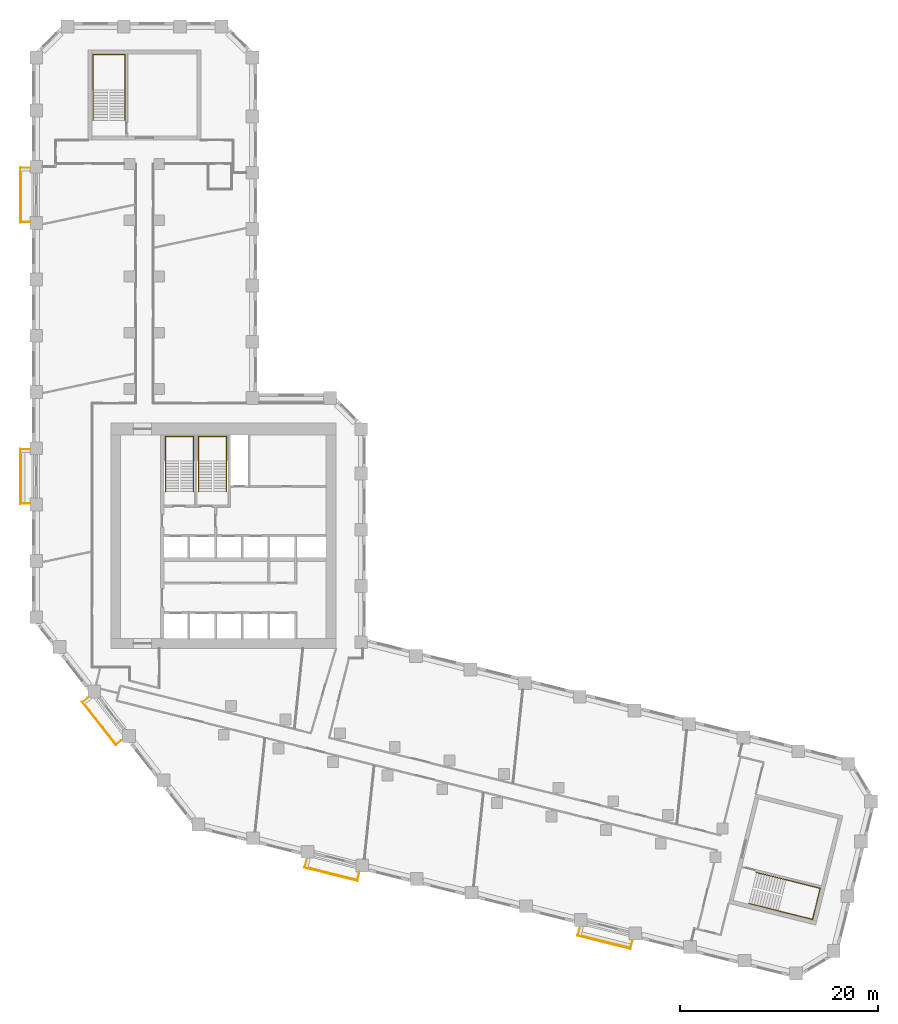
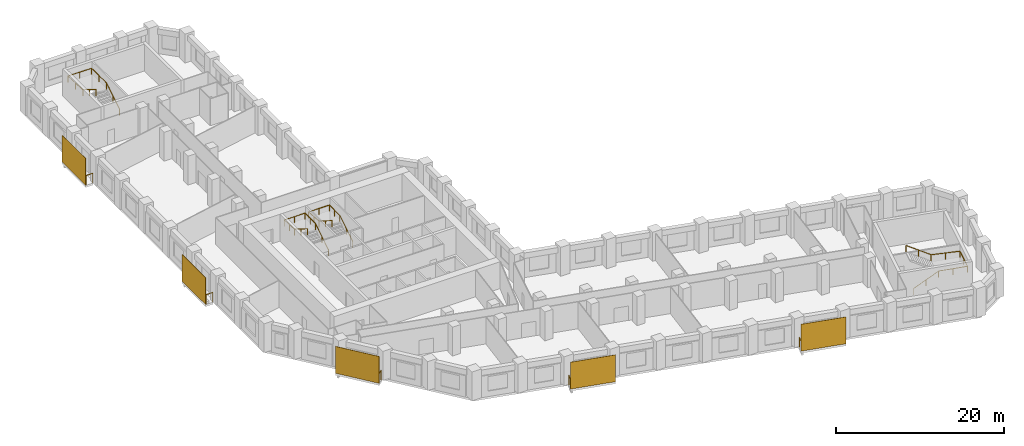
# One storey, part 11 of 11: 9 railings, 5 shading devices.
"""IFC4 building model written with IfcOpenShell, lengths in metres."""

from ifc_helpers import new_model, si_unit, direction, frame, origin, origin_2d, place, context, subcontext, project, spatial, rectangle, circle, extrude, material, layer, layer_set, type_object, element, save


model = new_model("IFC4")

# Units and contexts
model_context = context("Model", 3, precision=1e-05, world=origin(), true_north=direction((0.0, 1.0)))
body_context = subcontext(model_context, "Body", "Model", "MODEL_VIEW")
ifc_project = project(units=[si_unit("LENGTHUNIT", "METRE"), si_unit("AREAUNIT", "SQUARE_METRE"), si_unit("VOLUMEUNIT", "CUBIC_METRE"), si_unit("PLANEANGLEUNIT", "RADIAN"), si_unit("MASSUNIT", "GRAM", prefix="KILO")], contexts=[model_context])

# Site, building, storey
site_placement = place(None, origin())
site = spatial("IfcSite", under=ifc_project, at=site_placement, CompositionType="ELEMENT")
building_placement = place(site_placement, origin())
building = spatial("IfcBuilding", under=site, at=building_placement, Name="Meshkara Civic Tower", CompositionType="ELEMENT")
storey_placement = place(building_placement, frame((0.0, 0.0, 143.39990234375)))
storey = spatial("IfcBuildingStorey", under=building, at=storey_placement, Name="L32", CompositionType="ELEMENT", Elevation=143.39990234375)

# Railings
ifc_material_1 = material(Name="Steel S355", Category="steel")
railing_type_1 = type_object("IfcRailingType", Name="BALUSTRADE GUARD 1400", PredefinedType="BALUSTRADE", material=ifc_material_1)
for number, where, name in (
    (1, (-0.199951171875, 62.735107421875, 0.0), "Balcony guard"),
    (2, (-0.199951171875, 34.235107421875, 0.0), "Balcony guard"),
):
    element("IfcRailing", number, at=place(storey_placement, frame(where)), inside=storey, type_object=railing_type_1, Name=name, PredefinedType="BALUSTRADE", context=body_context, shape_type="SweptSolid", body=[
        extrude(circle(Radius=0.02392578125, at=origin_2d()), frame((0.0, 0.0, 1.3759765625), z_axis=(-1.0, 0.0, 0.0), x_axis=(0.0, -1.0, 0.0)), (0.0, 0.0, 1.0), 0.91015625),
        extrude(circle(Radius=0.02392578125, at=origin_2d()), frame((-0.91015625, 0.0, 1.3759765625), z_axis=(0.0, -1.0, 0.0), x_axis=(1.0, 0.0, 0.0)), (0.0, 0.0, 1.0), 5.460205078125),
        extrude(circle(Radius=0.02392578125, at=origin_2d()), frame((-0.91015625, -5.460205078125, 1.3759765625), z_axis=(1.0, 0.0, 0.0), x_axis=(0.0, 1.0, 0.0)), (0.0, 0.0, 1.0), 0.91015625),
        extrude(circle(Radius=0.02099609375, at=origin_2d()), origin(), (0.0, 0.0, 1.0), 1.351806640625),
        extrude(circle(Radius=0.02099609375, at=origin_2d()), frame((-0.91015625, 0.0, 0.0)), (0.0, 0.0, 1.0), 1.351806640625),
        extrude(circle(Radius=0.02099609375, at=origin_2d()), frame((-0.91015625, -1.092041015625, 0.0)), (0.0, 0.0, 1.0), 1.351806640625),
        extrude(circle(Radius=0.02099609375, at=origin_2d()), frame((-0.91015625, -2.18408203125, 0.0)), (0.0, 0.0, 1.0), 1.351806640625),
        extrude(circle(Radius=0.02099609375, at=origin_2d()), frame((-0.91015625, -3.276123046875, 0.0)), (0.0, 0.0, 1.0), 1.351806640625),
        extrude(circle(Radius=0.02099609375, at=origin_2d()), frame((-0.91015625, -4.3681640625, 0.0)), (0.0, 0.0, 1.0), 1.351806640625),
        extrude(circle(Radius=0.02099609375, at=origin_2d()), frame((-0.91015625, -5.460205078125, 0.0)), (0.0, 0.0, 1.0), 1.351806640625),
        extrude(circle(Radius=0.02099609375, at=origin_2d()), frame((0.0, -5.460205078125, 0.0)), (0.0, 0.0, 1.0), 1.351806640625),
    ])
railing_1_placement = place(storey_placement, frame((5.677978515625, 9.0810546875, 0.0)))
element("IfcRailing", 3, at=railing_1_placement, inside=storey, type_object=railing_type_1, Name="Balcony guard", PredefinedType="BALUSTRADE", context=body_context, shape_type="SweptSolid", body=[
    extrude(circle(Radius=0.02392578125, at=origin_2d()), frame((0.0, 0.0, 1.3759765625), z_axis=(-0.787481136241, -0.61633875431, 0.0), x_axis=(0.61633875431, -0.787481136241, 0.0)), (0.0, 0.0, 1.0), 0.647705078125),
    extrude(circle(Radius=0.02392578125, at=origin_2d()), frame((-0.510009765625, -0.399169921875, 1.3759765625), z_axis=(0.615684818606, -0.787992515281, 0.0), x_axis=(0.787992515281, 0.615684818606, 0.0)), (0.0, 0.0, 1.0), 5.460693359375),
    extrude(circle(Radius=0.02392578125, at=origin_2d()), frame((2.85205078125, -4.7021484375, 1.3759765625), z_axis=(0.787481136241, 0.61633875431, 0.0), x_axis=(-0.61633875431, 0.787481136241, 0.0)), (0.0, 0.0, 1.0), 0.647705078125),
    extrude(circle(Radius=0.02099609375, at=origin_2d()), origin(), (0.0, 0.0, 1.0), 1.351806640625),
    extrude(circle(Radius=0.02099609375, at=origin_2d()), frame((-0.510009765625, -0.399169921875, 0.0)), (0.0, 0.0, 1.0), 1.351806640625),
    extrude(circle(Radius=0.02099609375, at=origin_2d()), frame((0.162353515625, -1.259765625, 0.0)), (0.0, 0.0, 1.0), 1.351806640625),
    extrude(circle(Radius=0.02099609375, at=origin_2d()), frame((0.834716796875, -2.120361328125, 0.0)), (0.0, 0.0, 1.0), 1.351806640625),
    extrude(circle(Radius=0.02099609375, at=origin_2d()), frame((1.50732421875, -2.98095703125, 0.0)), (0.0, 0.0, 1.0), 1.351806640625),
    extrude(circle(Radius=0.02099609375, at=origin_2d()), frame((2.1796875, -3.841552734375, 0.0)), (0.0, 0.0, 1.0), 1.351806640625),
    extrude(circle(Radius=0.02099609375, at=origin_2d()), frame((2.85205078125, -4.7021484375, 0.0)), (0.0, 0.0, 1.0), 1.351806640625),
    extrude(circle(Radius=0.02099609375, at=origin_2d()), frame((3.362060546875, -4.302978515625, 0.0)), (0.0, 0.0, 1.0), 1.351806640625),
])
railing_2_placement = place(storey_placement, frame((27.837890625, -7.2890625, 0.0)))
element("IfcRailing", 4, at=railing_2_placement, inside=storey, type_object=railing_type_1, Name="Balcony guard", PredefinedType="BALUSTRADE", context=body_context, shape_type="SweptSolid", body=[
    extrude(circle(Radius=0.02392578125, at=origin_2d()), frame((0.0, 0.0, 1.3759765625), z_axis=(-0.242237978263, -0.970216863329, 0.0), x_axis=(0.970216863329, -0.242237978263, 0.0)), (0.0, 0.0, 1.0), 0.77197265625),
    extrude(circle(Radius=0.02392578125, at=origin_2d()), frame((-0.18701171875, -0.7490234375, 1.3759765625), z_axis=(0.970302726319, -0.241893818229, 0.0), x_axis=(0.241893818229, 0.970302726319, 0.0)), (0.0, 0.0, 1.0), 5.460205078125),
    extrude(circle(Radius=0.02392578125, at=origin_2d()), frame((5.111083984375, -2.06982421875, 1.3759765625), z_axis=(0.242312323582, 0.970198298205, 0.0), x_axis=(-0.970198298205, 0.242312323582, 0.0)), (0.0, 0.0, 1.0), 0.771728515625),
    extrude(circle(Radius=0.02099609375, at=origin_2d()), origin(), (0.0, 0.0, 1.0), 1.351806640625),
    extrude(circle(Radius=0.02099609375, at=origin_2d()), frame((-0.18701171875, -0.7490234375, 0.0)), (0.0, 0.0, 1.0), 1.351806640625),
    extrude(circle(Radius=0.02099609375, at=origin_2d()), frame((0.87255859375, -1.01318359375, 0.0)), (0.0, 0.0, 1.0), 1.351806640625),
    extrude(circle(Radius=0.02099609375, at=origin_2d()), frame((1.93212890625, -1.27734375, 0.0)), (0.0, 0.0, 1.0), 1.351806640625),
    extrude(circle(Radius=0.02099609375, at=origin_2d()), frame((2.991943359375, -1.54150390625, 0.0)), (0.0, 0.0, 1.0), 1.351806640625),
    extrude(circle(Radius=0.02099609375, at=origin_2d()), frame((4.051513671875, -1.8056640625, 0.0)), (0.0, 0.0, 1.0), 1.351806640625),
    extrude(circle(Radius=0.02099609375, at=origin_2d()), frame((5.111083984375, -2.06982421875, 0.0)), (0.0, 0.0, 1.0), 1.351806640625),
    extrude(circle(Radius=0.02099609375, at=origin_2d()), frame((5.298095703125, -1.321044921875, 0.0)), (0.0, 0.0, 1.0), 1.351806640625),
])
railing_3_placement = place(storey_placement, frame((55.491943359375, -14.18408203125, 0.0)))
element("IfcRailing", 5, at=railing_3_placement, inside=storey, type_object=railing_type_1, Name="Balcony guard", PredefinedType="BALUSTRADE", context=body_context, shape_type="SweptSolid", body=[
    extrude(circle(Radius=0.02392578125, at=origin_2d()), frame((0.0, 0.0, 1.3759765625), z_axis=(-0.242237978263, -0.970216863329, 0.0), x_axis=(0.970216863329, -0.242237978263, 0.0)), (0.0, 0.0, 1.0), 0.77197265625),
    extrude(circle(Radius=0.02392578125, at=origin_2d()), frame((-0.18701171875, -0.7490234375, 1.3759765625), z_axis=(0.970302726319, -0.241893818229, 0.0), x_axis=(0.241893818229, 0.970302726319, 0.0)), (0.0, 0.0, 1.0), 5.460205078125),
    extrude(circle(Radius=0.02392578125, at=origin_2d()), frame((5.111083984375, -2.06982421875, 1.3759765625), z_axis=(0.242237978263, 0.970216863329, 0.0), x_axis=(-0.970216863329, 0.242237978263, 0.0)), (0.0, 0.0, 1.0), 0.77197265625),
    extrude(circle(Radius=0.02099609375, at=origin_2d()), origin(), (0.0, 0.0, 1.0), 1.351806640625),
    extrude(circle(Radius=0.02099609375, at=origin_2d()), frame((-0.18701171875, -0.7490234375, 0.0)), (0.0, 0.0, 1.0), 1.351806640625),
    extrude(circle(Radius=0.02099609375, at=origin_2d()), frame((0.87255859375, -1.01318359375, 0.0)), (0.0, 0.0, 1.0), 1.351806640625),
    extrude(circle(Radius=0.02099609375, at=origin_2d()), frame((1.93212890625, -1.27734375, 0.0)), (0.0, 0.0, 1.0), 1.351806640625),
    extrude(circle(Radius=0.02099609375, at=origin_2d()), frame((2.991943359375, -1.54150390625, 0.0)), (0.0, 0.0, 1.0), 1.351806640625),
    extrude(circle(Radius=0.02099609375, at=origin_2d()), frame((4.051513671875, -1.8056640625, 0.0)), (0.0, 0.0, 1.0), 1.351806640625),
    extrude(circle(Radius=0.02099609375, at=origin_2d()), frame((5.111083984375, -2.06982421875, 0.0)), (0.0, 0.0, 1.0), 1.351806640625),
    extrude(circle(Radius=0.02099609375, at=origin_2d()), frame((5.298095703125, -1.32080078125, 0.0)), (0.0, 0.0, 1.0), 1.351806640625),
])

# Shading devices
ifc_material_2 = material(Name="Perforated bronze anodised aluminium sheet", Category="aluminium")
ifc_layer = layer(ifc_material_2, 0.0400390625)
ifc_layer_set = layer_set([ifc_layer], Name="PERFORATED BRONZE SCREEN")
shading_device_type = type_object("IfcShadingDeviceType", Name="PERFORATED BRONZE SCREEN", PredefinedType="USERDEFINED", material=ifc_layer_set)
for number, where, z_axis, x_axis, name in (
    (6, (-1.179931640625, 60.0048828125, 0.000244140625), (0.0, 0.0, 1.0), (0.0, -1.0, 0.0), "Balcony screen"),
    (7, (-1.179931640625, 31.5048828125, 0.000244140625), (0.0, 0.0, 1.0), (0.0, -1.0, 0.0), "Balcony screen"),
):
    element("IfcShadingDevice", number, at=place(storey_placement, frame(where, z_axis=z_axis, x_axis=x_axis)), inside=storey, type_object=shading_device_type, Name=name, ObjectType="SCREEN", PredefinedType="USERDEFINED", context=body_context, shape_type="SweptSolid", body=[
        extrude(rectangle(XDim=5.580078125, YDim=0.0400390625, at=origin_2d()), origin(), (0.0, 0.0, 1.0), 3.89990234375),
    ])
shading_device_placement = place(storey_placement, frame((6.7939453125, 6.488037109375, 0.000244140625), z_axis=(0.0, 0.0, 1.0), x_axis=(0.615661475326, -0.788010753607, 0.0)))
element("IfcShadingDevice", 8, at=shading_device_placement, inside=storey, type_object=shading_device_type, Name="Balcony screen", ObjectType="SCREEN", PredefinedType="USERDEFINED", context=body_context, shape_type="SweptSolid", body=[
    extrude(rectangle(XDim=5.5810546875, YDim=0.0400390625, at=origin_2d()), origin(), (0.0, 0.0, 1.0), 3.89990234375),
])
for number, where, z_axis, x_axis, name in (
    (9, (30.282958984375, -8.76708984375, 0.000244140625), (0.0, 0.0, 1.0), (0.970299948462, -0.241904960708, 0.0), "Balcony screen"),
    (10, (57.93701171875, -15.660888671875, 0.000244140625), (0.0, 0.0, 1.0), (0.970299948462, -0.241904960708, 0.0), "Balcony screen"),
):
    element("IfcShadingDevice", number, at=place(storey_placement, frame(where, z_axis=z_axis, x_axis=x_axis)), inside=storey, type_object=shading_device_type, Name=name, ObjectType="SCREEN", PredefinedType="USERDEFINED", context=body_context, shape_type="SweptSolid", body=[
        extrude(rectangle(XDim=5.580078125, YDim=0.0400390625, at=origin_2d()), origin(), (0.0, 0.0, 1.0), 3.89990234375),
    ])

# Railings
ifc_material_3 = material(Name="Steel handrail", Category="steel")
railing_type_2 = type_object("IfcRailingType", Name="Stair handrail 900", PredefinedType="HANDRAIL", material=ifc_material_3)
railing_4_placement = place(storey_placement, frame((16.375, 30.0, 0.175048828125)))
element("IfcRailing", 11, at=railing_4_placement, inside=storey, type_object=railing_type_2, Name="L32 ST1 stair handrail 1", PredefinedType="HANDRAIL", context=body_context, shape_type="SweptSolid", body=[
    extrude(circle(Radius=0.02392578125, at=origin_2d()), frame((0.0, 0.0, 0.8759765625), z_axis=(0.0, 0.847998304005, 0.529998940003), x_axis=(-1.0, 0.0, 0.0)), (0.0, 0.0, 1.0), 3.632080078125),
    extrude(circle(Radius=0.02392578125, at=origin_2d()), frame((0.0, 3.080078125, 2.80078125), z_axis=(0.0, 1.0, 0.0), x_axis=(-1.0, 0.0, 0.0)), (0.0, 0.0, 1.0), 2.469970703125),
    extrude(circle(Radius=0.02392578125, at=origin_2d()), frame((0.0, 5.550048828125, 2.80078125), z_axis=(-1.0, 0.0, 0.0), x_axis=(0.0, -1.0, 0.0)), (0.0, 0.0, 1.0), 2.85009765625),
    extrude(circle(Radius=0.02392578125, at=origin_2d()), frame((-2.85009765625, 5.550048828125, 2.80078125), z_axis=(0.0, -0.997498084828, 0.070693498747), x_axis=(1.0, 0.0, 0.0)), (0.0, 0.0, 1.0), 2.47607421875),
    extrude(circle(Radius=0.02392578125, at=origin_2d()), frame((-2.85009765625, 3.080078125, 2.97607421875), z_axis=(0.0, -0.847998304005, 0.529998940003), x_axis=(1.0, 0.0, 0.0)), (0.0, 0.0, 1.0), 3.632080078125),
    extrude(circle(Radius=0.02099609375, at=origin_2d()), origin(), (0.0, 0.0, 1.0), 0.851806640625),
    extrude(circle(Radius=0.02099609375, at=origin_2d()), frame((0.0, 1.5400390625, 0.96240234375)), (0.0, 0.0, 1.0), 0.851806640625),
    extrude(circle(Radius=0.02099609375, at=origin_2d()), frame((0.0, 3.080078125, 1.925048828125)), (0.0, 0.0, 1.0), 0.851806640625),
    extrude(circle(Radius=0.02099609375, at=origin_2d()), frame((0.0, 4.31494140625, 1.925048828125)), (0.0, 0.0, 1.0), 0.851806640625),
    extrude(circle(Radius=0.02099609375, at=origin_2d()), frame((0.0, 5.550048828125, 1.925048828125)), (0.0, 0.0, 1.0), 0.851806640625),
    extrude(circle(Radius=0.02099609375, at=origin_2d()), frame((-1.425048828125, 5.550048828125, 1.925048828125)), (0.0, 0.0, 1.0), 0.851806640625),
    extrude(circle(Radius=0.02099609375, at=origin_2d()), frame((-2.85009765625, 5.550048828125, 1.925048828125)), (0.0, 0.0, 1.0), 0.851806640625),
    extrude(circle(Radius=0.02099609375, at=origin_2d()), frame((-2.85009765625, 4.31494140625, 2.0126953125)), (0.0, 0.0, 1.0), 0.851806640625),
    extrude(circle(Radius=0.02099609375, at=origin_2d()), frame((-2.85009765625, 3.080078125, 2.10009765625)), (0.0, 0.0, 1.0), 0.851806640625),
    extrude(circle(Radius=0.02099609375, at=origin_2d()), frame((-2.85009765625, 1.5400390625, 3.0625)), (0.0, 0.0, 1.0), 0.851806640625),
    extrude(circle(Radius=0.02099609375, at=origin_2d()), frame((-2.85009765625, 0.0, 4.025146484375)), (0.0, 0.0, 1.0), 0.851806640625),
])
railing_5_placement = place(storey_placement, frame((19.72509765625, 30.0, 0.175048828125)))
element("IfcRailing", 12, at=railing_5_placement, inside=storey, type_object=railing_type_2, Name="L32 ST2 stair handrail 1", PredefinedType="HANDRAIL", context=body_context, shape_type="SweptSolid", body=[
    extrude(circle(Radius=0.02392578125, at=origin_2d()), frame((0.0, 0.0, 0.8759765625), z_axis=(0.0, 0.847998304005, 0.529998940003), x_axis=(-1.0, 0.0, 0.0)), (0.0, 0.0, 1.0), 3.632080078125),
    extrude(circle(Radius=0.02392578125, at=origin_2d()), frame((0.0, 3.080078125, 2.80078125), z_axis=(0.0, 1.0, 0.0), x_axis=(-1.0, 0.0, 0.0)), (0.0, 0.0, 1.0), 2.469970703125),
    extrude(circle(Radius=0.02392578125, at=origin_2d()), frame((0.0, 5.550048828125, 2.80078125), z_axis=(-1.0, 0.0, 0.0), x_axis=(0.0, -1.0, 0.0)), (0.0, 0.0, 1.0), 2.85009765625),
    extrude(circle(Radius=0.02392578125, at=origin_2d()), frame((-2.85009765625, 5.550048828125, 2.80078125), z_axis=(0.0, -0.997498084828, 0.070693498747), x_axis=(1.0, 0.0, 0.0)), (0.0, 0.0, 1.0), 2.47607421875),
    extrude(circle(Radius=0.02392578125, at=origin_2d()), frame((-2.85009765625, 3.080078125, 2.97607421875), z_axis=(0.0, -0.847998304005, 0.529998940003), x_axis=(1.0, 0.0, 0.0)), (0.0, 0.0, 1.0), 3.632080078125),
    extrude(circle(Radius=0.02099609375, at=origin_2d()), origin(), (0.0, 0.0, 1.0), 0.851806640625),
    extrude(circle(Radius=0.02099609375, at=origin_2d()), frame((0.0, 1.5400390625, 0.96240234375)), (0.0, 0.0, 1.0), 0.851806640625),
    extrude(circle(Radius=0.02099609375, at=origin_2d()), frame((0.0, 3.080078125, 1.925048828125)), (0.0, 0.0, 1.0), 0.851806640625),
    extrude(circle(Radius=0.02099609375, at=origin_2d()), frame((0.0, 4.31494140625, 1.925048828125)), (0.0, 0.0, 1.0), 0.851806640625),
    extrude(circle(Radius=0.02099609375, at=origin_2d()), frame((0.0, 5.550048828125, 1.925048828125)), (0.0, 0.0, 1.0), 0.851806640625),
    extrude(circle(Radius=0.02099609375, at=origin_2d()), frame((-1.425048828125, 5.550048828125, 1.925048828125)), (0.0, 0.0, 1.0), 0.851806640625),
    extrude(circle(Radius=0.02099609375, at=origin_2d()), frame((-2.85009765625, 5.550048828125, 1.925048828125)), (0.0, 0.0, 1.0), 0.851806640625),
    extrude(circle(Radius=0.02099609375, at=origin_2d()), frame((-2.85009765625, 4.31494140625, 2.0126953125)), (0.0, 0.0, 1.0), 0.851806640625),
    extrude(circle(Radius=0.02099609375, at=origin_2d()), frame((-2.85009765625, 3.080078125, 2.10009765625)), (0.0, 0.0, 1.0), 0.851806640625),
    extrude(circle(Radius=0.02099609375, at=origin_2d()), frame((-2.85009765625, 1.5400390625, 3.0625)), (0.0, 0.0, 1.0), 0.851806640625),
    extrude(circle(Radius=0.02099609375, at=origin_2d()), frame((-2.85009765625, 0.0, 4.025146484375)), (0.0, 0.0, 1.0), 0.851806640625),
])
railing_6_placement = place(storey_placement, frame((9.425048828125, 67.570068359375, 0.175048828125)))
element("IfcRailing", 13, at=railing_6_placement, inside=storey, type_object=railing_type_2, Name="L32 ESA2 stair handrail 1", PredefinedType="HANDRAIL", context=body_context, shape_type="SweptSolid", body=[
    extrude(circle(Radius=0.02392578125, at=origin_2d()), frame((0.0, 0.0, 0.8759765625), z_axis=(0.0, 0.847979421464, 0.530029150871), x_axis=(-1.0, 0.0, 0.0)), (0.0, 0.0, 1.0), 3.632080078125),
    extrude(circle(Radius=0.02392578125, at=origin_2d()), frame((0.0, 3.079833984375, 2.80078125), z_axis=(0.0, 1.0, 0.0), x_axis=(-1.0, 0.0, 0.0)), (0.0, 0.0, 1.0), 3.570068359375),
    extrude(circle(Radius=0.02392578125, at=origin_2d()), frame((0.0, 6.64990234375, 2.80078125), z_axis=(-1.0, 0.0, 0.0), x_axis=(0.0, -1.0, 0.0)), (0.0, 0.0, 1.0), 3.25),
    extrude(circle(Radius=0.02392578125, at=origin_2d()), frame((-3.25, 6.64990234375, 2.80078125), z_axis=(0.0, -0.998800077689, 0.048973511297), x_axis=(1.0, 0.0, 0.0)), (0.0, 0.0, 1.0), 3.574462890625),
    extrude(circle(Radius=0.02392578125, at=origin_2d()), frame((-3.25, 3.079833984375, 2.97607421875), z_axis=(0.0, -0.847979421464, 0.530029150871), x_axis=(1.0, 0.0, 0.0)), (0.0, 0.0, 1.0), 3.632080078125),
    extrude(circle(Radius=0.02099609375, at=origin_2d()), origin(), (0.0, 0.0, 1.0), 0.851806640625),
    extrude(circle(Radius=0.02099609375, at=origin_2d()), frame((0.0, 1.5400390625, 0.96240234375)), (0.0, 0.0, 1.0), 0.851806640625),
    extrude(circle(Radius=0.02099609375, at=origin_2d()), frame((0.0, 3.079833984375, 1.925048828125)), (0.0, 0.0, 1.0), 0.851806640625),
    extrude(circle(Radius=0.02099609375, at=origin_2d()), frame((0.0, 4.86474609375, 1.925048828125)), (0.0, 0.0, 1.0), 0.851806640625),
    extrude(circle(Radius=0.02099609375, at=origin_2d()), frame((0.0, 6.64990234375, 1.925048828125)), (0.0, 0.0, 1.0), 0.851806640625),
    extrude(circle(Radius=0.02099609375, at=origin_2d()), frame((-1.625, 6.64990234375, 1.925048828125)), (0.0, 0.0, 1.0), 0.851806640625),
    extrude(circle(Radius=0.02099609375, at=origin_2d()), frame((-3.25, 6.64990234375, 1.925048828125)), (0.0, 0.0, 1.0), 0.851806640625),
    extrude(circle(Radius=0.02099609375, at=origin_2d()), frame((-3.25, 4.86474609375, 2.0126953125)), (0.0, 0.0, 1.0), 0.851806640625),
    extrude(circle(Radius=0.02099609375, at=origin_2d()), frame((-3.25, 3.079833984375, 2.10009765625)), (0.0, 0.0, 1.0), 0.851806640625),
    extrude(circle(Radius=0.02099609375, at=origin_2d()), frame((-3.25, 1.5400390625, 3.0625)), (0.0, 0.0, 1.0), 0.851806640625),
    extrude(circle(Radius=0.02099609375, at=origin_2d()), frame((-3.25, 0.0, 4.025146484375)), (0.0, 0.0, 1.0), 0.851806640625),
])
railing_7_placement = place(storey_placement, frame((72.587158203125, -11.73388671875, 0.175048828125)))
element("IfcRailing", 14, at=railing_7_placement, inside=storey, type_object=railing_type_2, Name="L32 ESB2 stair handrail 1", PredefinedType="HANDRAIL", context=body_context, shape_type="SweptSolid", body=[
    extrude(circle(Radius=0.02392578125, at=origin_2d()), frame((0.0, 0.0, 0.8759765625), z_axis=(0.82276025377, -0.205286749593, 0.530021617727), x_axis=(0.242087961707, 0.97025430625, 0.0)), (0.0, 0.0, 1.0), 3.632080078125),
    extrude(circle(Radius=0.02392578125, at=origin_2d()), frame((2.98828125, -0.74560546875, 2.80078125), z_axis=(0.97025503065, -0.242085058395, 0.0), x_axis=(0.242085058395, 0.97025503065, 0.0)), (0.0, 0.0, 1.0), 3.570068359375),
    extrude(circle(Radius=0.02392578125, at=origin_2d()), frame((6.4521484375, -1.60986328125, 2.80078125), z_axis=(0.242040676986, 0.970266103027, 0.0), x_axis=(-0.970266103027, 0.242040676986, 0.0)), (0.0, 0.0, 1.0), 3.25),
    extrude(circle(Radius=0.02392578125, at=origin_2d()), frame((7.23876953125, 1.54345703125, 2.80078125), z_axis=(-0.969090793551, 0.241794573525, 0.048973646672), x_axis=(-0.242085058395, -0.97025503065, 0.0)), (0.0, 0.0, 1.0), 3.574462890625),
    extrude(circle(Radius=0.02392578125, at=origin_2d()), frame((3.77490234375, 2.40771484375, 2.97607421875), z_axis=(-0.82276025377, 0.205286749593, 0.530021617727), x_axis=(-0.242087961707, -0.97025430625, 0.0)), (0.0, 0.0, 1.0), 3.632080078125),
    extrude(circle(Radius=0.02099609375, at=origin_2d()), origin(), (0.0, 0.0, 1.0), 0.851806640625),
    extrude(circle(Radius=0.02099609375, at=origin_2d()), frame((1.494140625, -0.372802734375, 0.96240234375)), (0.0, 0.0, 1.0), 0.851806640625),
    extrude(circle(Radius=0.02099609375, at=origin_2d()), frame((2.98828125, -0.74560546875, 1.925048828125)), (0.0, 0.0, 1.0), 0.851806640625),
    extrude(circle(Radius=0.02099609375, at=origin_2d()), frame((4.72021484375, -1.177734375, 1.925048828125)), (0.0, 0.0, 1.0), 0.851806640625),
    extrude(circle(Radius=0.02099609375, at=origin_2d()), frame((6.4521484375, -1.60986328125, 1.925048828125)), (0.0, 0.0, 1.0), 0.851806640625),
    extrude(circle(Radius=0.02099609375, at=origin_2d()), frame((6.845458984375, -0.033203125, 1.925048828125)), (0.0, 0.0, 1.0), 0.851806640625),
    extrude(circle(Radius=0.02099609375, at=origin_2d()), frame((7.23876953125, 1.54345703125, 1.925048828125)), (0.0, 0.0, 1.0), 0.851806640625),
    extrude(circle(Radius=0.02099609375, at=origin_2d()), frame((5.5068359375, 1.9755859375, 2.0126953125)), (0.0, 0.0, 1.0), 0.851806640625),
    extrude(circle(Radius=0.02099609375, at=origin_2d()), frame((3.77490234375, 2.40771484375, 2.10009765625)), (0.0, 0.0, 1.0), 0.851806640625),
    extrude(circle(Radius=0.02099609375, at=origin_2d()), frame((2.28076171875, 2.780517578125, 3.0625)), (0.0, 0.0, 1.0), 0.851806640625),
    extrude(circle(Radius=0.02099609375, at=origin_2d()), frame((0.78662109375, 3.1533203125, 4.025146484375)), (0.0, 0.0, 1.0), 0.851806640625),
])

save(model, "model.ifc")
